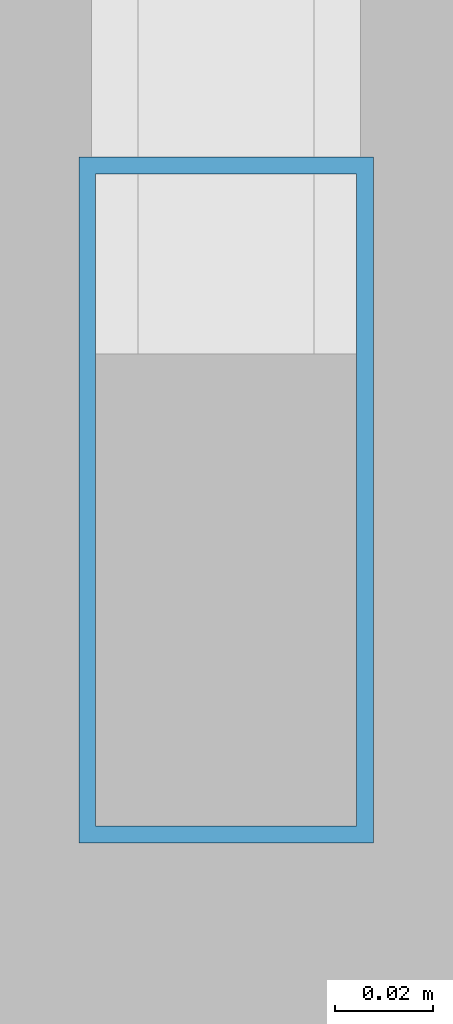
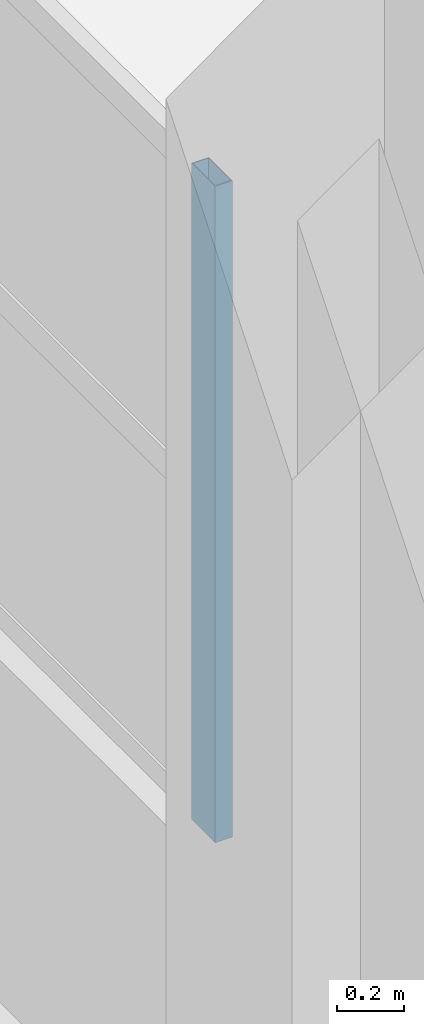
# One storey, part 4 of 24: 1 member, 1 element without a shape of its own.
"""IFC4 building model written with IfcOpenShell, lengths in metres."""

from ifc_helpers import new_model, si_unit, direction, frame, origin, origin_2d, place, context, subcontext, project, spatial, hollow_rectangle, extrude, material, layer, layer_set, material_profile, profile_set, type_object, element, aggregate, save


model = new_model("IFC4")

# Units and contexts
model_context = context("Model", 3, precision=1e-05, world=origin(), true_north=direction((0.0, 1.0)))
body_context = subcontext(model_context, "Body", "Model", "MODEL_VIEW")
ifc_project = project(units=[si_unit("LENGTHUNIT", "METRE"), si_unit("AREAUNIT", "SQUARE_METRE"), si_unit("VOLUMEUNIT", "CUBIC_METRE"), si_unit("PLANEANGLEUNIT", "RADIAN"), si_unit("MASSUNIT", "GRAM", prefix="KILO")], contexts=[model_context])

# Site, building, storey
site_placement = place(None, origin())
site = spatial("IfcSite", under=ifc_project, at=site_placement, CompositionType="ELEMENT")
building_placement = place(site_placement, origin())
building = spatial("IfcBuilding", under=site, at=building_placement, Name="Seraya Terrace Polytechnic", CompositionType="ELEMENT")
storey_placement = place(building_placement, frame((0.0, 0.0, 18.89990234375)))
storey = spatial("IfcBuildingStorey", under=building, at=storey_placement, Name="L04", CompositionType="ELEMENT", Elevation=18.89990234375)

# Curtain wall, member
ifc_material = material(Name="Anodised aluminium EN AW-6063 T6", Category="aluminium")
ifc_layer = layer(ifc_material, 0.179931640625, Name="CW-12")
ifc_layer_set = layer_set([ifc_layer], Name="Anodised aluminium EN AW-6063 T6")
curtain_wall_type = type_object("IfcCurtainWallType", Name="CW-12", PredefinedType="NOTDEFINED", material=ifc_layer_set)
curtain_wall_placement = place(storey_placement, origin())
curtain_wall = element("IfcCurtainWall", 1, at=curtain_wall_placement, inside=storey, type_object=curtain_wall_type, Name="Unitised curtain wall CW-12 (CW-L04-156)", PredefinedType="NOTDEFINED")
ifc_material_profile = material_profile(ifc_material, hollow_rectangle(XDim=0.06005859375, YDim=0.139892578125, WallThickness=0.00341796875, at=origin_2d()), Name="RHS 140x60x3.5")
ifc_profile_set = profile_set([ifc_material_profile], Name="Anodised aluminium EN AW-6063 T6")
member_type = type_object("IfcMemberType", Name="CWM-03", PredefinedType="MULLION", material=ifc_profile_set)
member_placement = place(storey_placement, frame((111.60009765625, 22.35009765625, 1.239990234375), z_axis=(0.0, 0.0, 1.0), x_axis=(1.0, 0.0, 0.0)))
member = element("IfcMember", 2, at=member_placement, type_object=member_type, Name="CW-12 mullion 3", PredefinedType="MULLION", context=body_context, shape_type="SweptSolid", body=[
    extrude(hollow_rectangle(XDim=0.06005859375, YDim=0.139892578125, WallThickness=0.00341796875, at=origin_2d()), origin(), (0.0, 0.0, 1.0), 2.380126953125),
])
aggregate(curtain_wall, [member])

save(model, "model.ifc")
